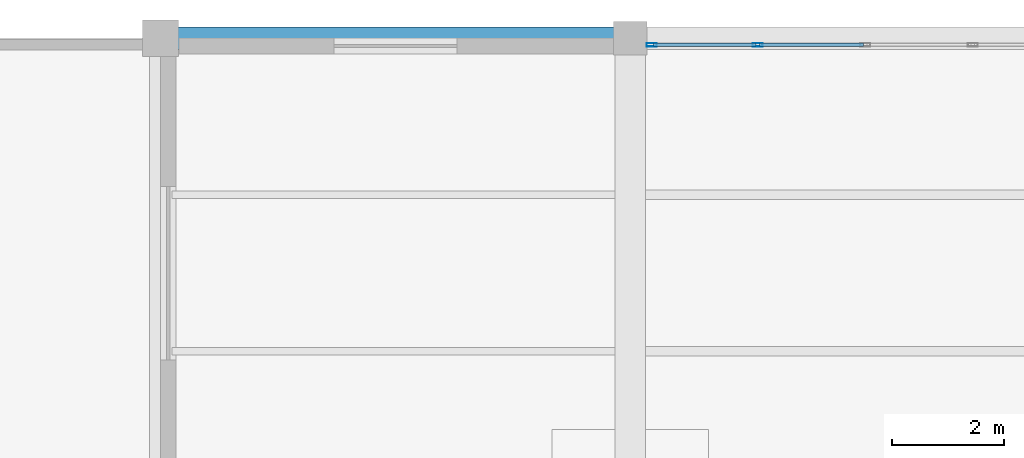
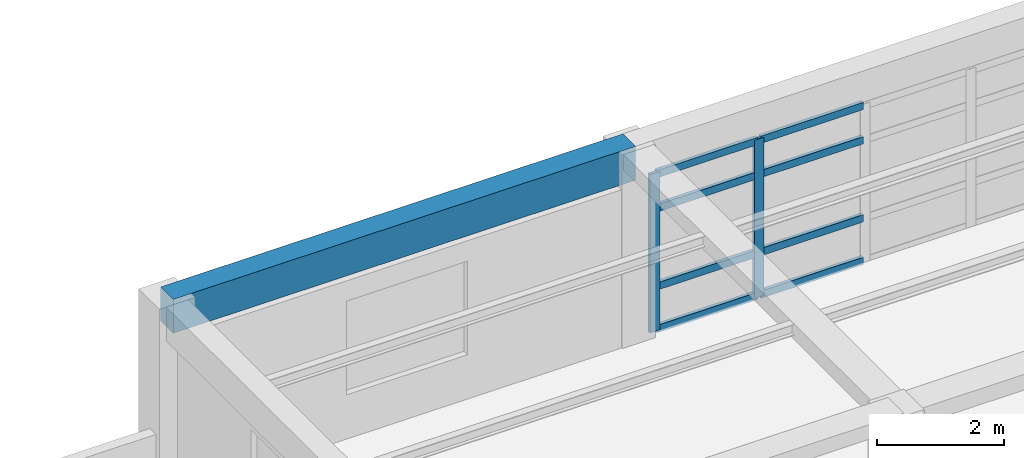
# One storey, part 17 of 26: 10 members, 1 beam, 1 element without a shape of its own.
"""IFC4 building model written with IfcOpenShell, lengths in metres."""

from ifc_helpers import new_model, si_unit, direction, frame, origin, origin_2d, place, context, subcontext, project, spatial, rectangle, hollow_rectangle, extrude, material, material_profile, profile_set, type_object, element, aggregate, save


model = new_model("IFC4")

# Units and contexts
model_context = context("Model", 3, precision=1e-05, world=origin(), true_north=direction((0.0, 1.0)))
body_context = subcontext(model_context, "Body", "Model", "MODEL_VIEW")
ifc_project = project(units=[si_unit("LENGTHUNIT", "METRE"), si_unit("AREAUNIT", "SQUARE_METRE"), si_unit("VOLUMEUNIT", "CUBIC_METRE"), si_unit("PLANEANGLEUNIT", "RADIAN"), si_unit("MASSUNIT", "GRAM", prefix="KILO")], contexts=[model_context])

# Site, building, storey
site_placement = place(None, origin())
site = spatial("IfcSite", under=ifc_project, at=site_placement, CompositionType="ELEMENT")
building_placement = place(site_placement, origin())
building = spatial("IfcBuilding", under=site, at=building_placement, Name="Almacenes y Pasaje Nevantli", CompositionType="ELEMENT")
storey_placement = place(building_placement, frame((0.0, 0.0, 42.699951171875)))
storey = spatial("IfcBuildingStorey", under=building, at=storey_placement, Name="L10", CompositionType="ELEMENT", Elevation=42.699951171875)

# Beam
ifc_material_1 = material(Name="Concrete C35/45", Category="concrete")
ifc_material_profile_1 = material_profile(ifc_material_1, rectangle(XDim=0.39990234375, YDim=0.64990234375, at=origin_2d()), Name="RC-BM-400x650")
ifc_profile_set_1 = profile_set([ifc_material_profile_1], Name="Concrete C35/45")
beam_type = type_object("IfcBeamType", Name="BM-RC-400x650", PredefinedType="SPANDREL", material=ifc_profile_set_1)
beam_placement = place(storey_placement, frame((117.60009765625, 100.800048828125, 3.39501953125), z_axis=(1.0, 0.0, 0.0), x_axis=(0.0, 1.0, 0.0)))
element("IfcBeam", 1, at=beam_placement, inside=storey, type_object=beam_type, Name="L10 East-West Reinforced Concrete Beam #3817", PredefinedType="SPANDREL", context=body_context, shape_type="SweptSolid", body=[
    extrude(rectangle(XDim=0.39990234375, YDim=0.64990234375, at=origin_2d()), origin(), (0.0, 0.0, 1.0), 8.39990234375),
])

# Curtain wall, members
ifc_material_2 = material(Name="Thermally Broken Aluminium and Low-E Glass", Category="aluminium")
curtain_wall_type = type_object("IfcCurtainWallType", Name="CW-UNIT-TOWER", PredefinedType="USERDEFINED", material=ifc_material_2)
curtain_wall_placement = place(storey_placement, origin())
curtain_wall = element("IfcCurtainWall", 2, at=curtain_wall_placement, inside=storey, type_object=curtain_wall_type, Name="L10 Tower North Boulevard Unitized Curtain Wall Bay 16", ObjectType="UNITIZED CURTAIN WALL", PredefinedType="USERDEFINED")
ifc_material_3 = material(Name="Thermally Broken Anodized Aluminium", Category="aluminium")
ifc_material_profile_2 = material_profile(ifc_material_3, hollow_rectangle(XDim=0.06494140625, YDim=0.179931640625, WallThickness=0.00390625, at=origin_2d()), Name="ALU-MUL-65x180")
ifc_profile_set_2 = profile_set([ifc_material_profile_2], Name="Thermally Broken Anodized Aluminium")
member_type_1 = type_object("IfcMemberType", Name="CW-MUL-200", PredefinedType="MULLION", material=ifc_profile_set_2)
member_1_placement = place(storey_placement, frame((126.382568359375, 100.679931640625, 0.0), z_axis=(0.0, 0.0, 1.0), x_axis=(0.0, 1.0, 0.0)))
member_1 = element("IfcMember", 3, at=member_1_placement, type_object=member_type_1, Name="CW-L10-142 mullion 1", PredefinedType="MULLION", context=body_context, shape_type="SweptSolid", body=[
    extrude(hollow_rectangle(XDim=0.06494140625, YDim=0.179931640625, WallThickness=0.00390625, at=origin_2d()), origin(), (0.0, 0.0, 1.0), 3.0400390625),
])
member_2_placement = place(storey_placement, frame((128.27490234375, 100.679931640625, 0.0), z_axis=(0.0, 0.0, 1.0), x_axis=(0.0, 1.0, 0.0)))
member_2 = element("IfcMember", 4, at=member_2_placement, type_object=member_type_1, Name="CW-L10-142 mullion 2", PredefinedType="MULLION", context=body_context, shape_type="SweptSolid", body=[
    extrude(hollow_rectangle(XDim=0.06494140625, YDim=0.179931640625, WallThickness=0.00390625, at=origin_2d()), origin(), (0.0, 0.0, 1.0), 3.0400390625),
])
ifc_material_4 = material(Name="Thermally Broken Anodized Aluminium", Category="aluminium")
ifc_material_profile_3 = material_profile(ifc_material_4, hollow_rectangle(XDim=0.06494140625, YDim=0.139892578125, WallThickness=0.00390625, at=origin_2d()), Name="ALU-TRN-65x140")
ifc_profile_set_3 = profile_set([ifc_material_profile_3], Name="Thermally Broken Anodized Aluminium")
member_type_2 = type_object("IfcMemberType", Name="CW-TRN-150", PredefinedType="USERDEFINED", material=ifc_profile_set_3)
member_3_placement = place(storey_placement, frame((126.4150390625, 100.679931640625, 0.032470703125), z_axis=(1.0, 0.0, 0.0), x_axis=(0.0, 1.0, 0.0)))
member_3 = element("IfcMember", 5, at=member_3_placement, type_object=member_type_2, Name="CW-L10-142 transom 1.1", ObjectType="TRANSOM", PredefinedType="USERDEFINED", context=body_context, shape_type="SweptSolid", body=[
    extrude(hollow_rectangle(XDim=0.06494140625, YDim=0.139892578125, WallThickness=0.00390625, at=origin_2d()), origin(), (0.0, 0.0, 1.0), 1.827392578125),
])
member_4_placement = place(storey_placement, frame((126.4150390625, 100.679931640625, 0.85009765625), z_axis=(1.0, 0.0, 0.0), x_axis=(0.0, 1.0, 0.0)))
member_4 = element("IfcMember", 6, at=member_4_placement, type_object=member_type_2, Name="CW-L10-142 transom 1.2", ObjectType="TRANSOM", PredefinedType="USERDEFINED", context=body_context, shape_type="SweptSolid", body=[
    extrude(hollow_rectangle(XDim=0.06494140625, YDim=0.139892578125, WallThickness=0.00390625, at=origin_2d()), origin(), (0.0, 0.0, 1.0), 1.827392578125),
])
member_5_placement = place(storey_placement, frame((126.4150390625, 100.679931640625, 2.35009765625), z_axis=(1.0, 0.0, 0.0), x_axis=(0.0, 1.0, 0.0)))
member_5 = element("IfcMember", 7, at=member_5_placement, type_object=member_type_2, Name="CW-L10-142 transom 1.3", ObjectType="TRANSOM", PredefinedType="USERDEFINED", context=body_context, shape_type="SweptSolid", body=[
    extrude(hollow_rectangle(XDim=0.06494140625, YDim=0.139892578125, WallThickness=0.00390625, at=origin_2d()), origin(), (0.0, 0.0, 1.0), 1.827392578125),
])
member_6_placement = place(storey_placement, frame((126.4150390625, 100.679931640625, 3.007568359375), z_axis=(1.0, 0.0, 0.0), x_axis=(0.0, 1.0, 0.0)))
member_6 = element("IfcMember", 8, at=member_6_placement, type_object=member_type_2, Name="CW-L10-142 transom 1.4", ObjectType="TRANSOM", PredefinedType="USERDEFINED", context=body_context, shape_type="SweptSolid", body=[
    extrude(hollow_rectangle(XDim=0.06494140625, YDim=0.139892578125, WallThickness=0.00390625, at=origin_2d()), origin(), (0.0, 0.0, 1.0), 1.827392578125),
])
member_7_placement = place(storey_placement, frame((128.3076171875, 100.679931640625, 0.032470703125), z_axis=(1.0, 0.0, 0.0), x_axis=(0.0, 1.0, 0.0)))
member_7 = element("IfcMember", 9, at=member_7_placement, type_object=member_type_2, Name="CW-L10-142 transom 2.1", ObjectType="TRANSOM", PredefinedType="USERDEFINED", context=body_context, shape_type="SweptSolid", body=[
    extrude(hollow_rectangle(XDim=0.06494140625, YDim=0.139892578125, WallThickness=0.00390625, at=origin_2d()), origin(), (0.0, 0.0, 1.0), 1.85986328125),
])
member_8_placement = place(storey_placement, frame((128.3076171875, 100.679931640625, 0.85009765625), z_axis=(1.0, 0.0, 0.0), x_axis=(0.0, 1.0, 0.0)))
member_8 = element("IfcMember", 10, at=member_8_placement, type_object=member_type_2, Name="CW-L10-142 transom 2.2", ObjectType="TRANSOM", PredefinedType="USERDEFINED", context=body_context, shape_type="SweptSolid", body=[
    extrude(hollow_rectangle(XDim=0.06494140625, YDim=0.139892578125, WallThickness=0.00390625, at=origin_2d()), origin(), (0.0, 0.0, 1.0), 1.85986328125),
])
member_9_placement = place(storey_placement, frame((128.3076171875, 100.679931640625, 2.35009765625), z_axis=(1.0, 0.0, 0.0), x_axis=(0.0, 1.0, 0.0)))
member_9 = element("IfcMember", 11, at=member_9_placement, type_object=member_type_2, Name="CW-L10-142 transom 2.3", ObjectType="TRANSOM", PredefinedType="USERDEFINED", context=body_context, shape_type="SweptSolid", body=[
    extrude(hollow_rectangle(XDim=0.06494140625, YDim=0.139892578125, WallThickness=0.00390625, at=origin_2d()), origin(), (0.0, 0.0, 1.0), 1.85986328125),
])
member_10_placement = place(storey_placement, frame((128.3076171875, 100.679931640625, 3.007568359375), z_axis=(1.0, 0.0, 0.0), x_axis=(0.0, 1.0, 0.0)))
member_10 = element("IfcMember", 12, at=member_10_placement, type_object=member_type_2, Name="CW-L10-142 transom 2.4", ObjectType="TRANSOM", PredefinedType="USERDEFINED", context=body_context, shape_type="SweptSolid", body=[
    extrude(hollow_rectangle(XDim=0.06494140625, YDim=0.139892578125, WallThickness=0.00390625, at=origin_2d()), origin(), (0.0, 0.0, 1.0), 1.85986328125),
])
aggregate(curtain_wall, [member_1, member_2, member_3, member_4, member_5, member_6, member_7, member_8, member_9, member_10])

save(model, "model.ifc")
